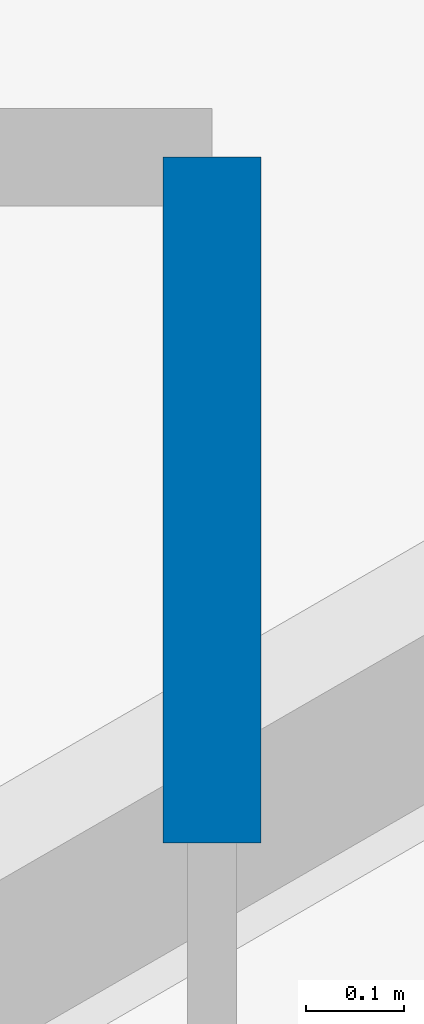
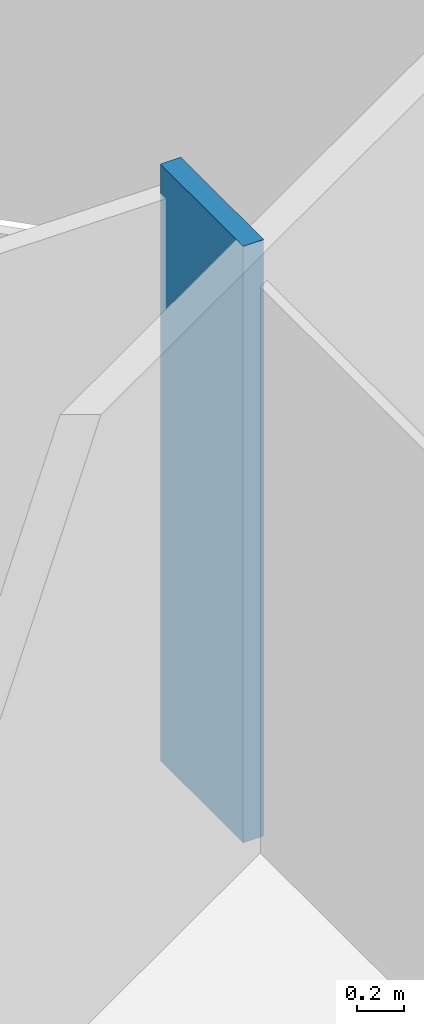
# One storey, part 13 of 20: 1 wall.
"""IFC4 building model written with IfcOpenShell, lengths in metres."""

import ifcopenshell
import ifcopenshell.guid

model = None  # the IFC model being written
_history = None  # IfcOwnerHistory: only IFC2X3 demands one
_inside = {}  # id of a spatial element -> (the spatial element, [elements in it])
_under = {}  # id of a project, library or spatial element -> (it, [spatial elements below it])
_declared = {}  # id of a project -> (the project, [libraries it declares])
_typed = {}  # id of a type object -> (the type object, [elements of that type])
_made_of = {}  # id of a material, layer set ... -> (it, [elements and type objects made of it])


def new_model(schema):
    """Start an empty IFC model of exactly this schema.

    Asked for "IFC4X3", IfcOpenShell would pick the latest addendum, in which some entities
    have other attributes; the version numbers below select the first issue.
    IFC2X3 requires an IfcOwnerHistory on every rooted entity: one is made here for all.
    """
    global model, _history
    if schema == "IFC4X3":
        model = ifcopenshell.file(schema_version=(4, 3, 0, 0))
    else:
        model = ifcopenshell.file(schema=schema)
    _inside.clear()
    _under.clear()
    _declared.clear()
    _typed.clear()
    _made_of.clear()
    _history = None
    if model.schema == "IFC2X3":
        org = make("IfcOrganization", Name="unknown")
        user = make(
            "IfcPersonAndOrganization",
            ThePerson=make("IfcPerson", FamilyName="unknown"),
            TheOrganization=org,
        )
        app = make(
            "IfcApplication",
            ApplicationDeveloper=org,
            Version="unknown",
            ApplicationFullName="unknown",
            ApplicationIdentifier="unknown",
        )
        _history = make(
            "IfcOwnerHistory",
            OwningUser=user,
            OwningApplication=app,
            ChangeAction="ADDED",
            CreationDate=0,
        )
    return model


def make(cls, **values):
    """One entity of the class cls with the attributes given. An attribute that is None is left unset."""
    return model.create_entity(
        cls, **{name: value for name, value in values.items() if value is not None}
    )


def rooted(cls, **values):
    """An entity with a GlobalId (a new one), such as an element, a storey or a relation."""
    return make(cls, GlobalId=ifcopenshell.guid.new(), OwnerHistory=_history, **values)


def si_unit(unit_type, name, prefix=None):
    """IfcSIUnit, for example si_unit("LENGTHUNIT", "METRE", prefix="MILLI")."""
    return make("IfcSIUnit", UnitType=unit_type, Prefix=prefix, Name=name)


def assignment(units):
    """IfcUnitAssignment: the units of a project."""
    return None if units is None else make("IfcUnitAssignment", Units=units)


def point(xyz):
    """IfcCartesianPoint."""
    return None if xyz is None else make("IfcCartesianPoint", Coordinates=xyz)


def direction(xyz):
    """IfcDirection."""
    return None if xyz is None else make("IfcDirection", DirectionRatios=xyz)


def frame(location, z_axis=None, x_axis=None):
    """IfcAxis2Placement3D, a coordinate frame: its origin and axes. An axis left out is left unset."""
    return make(
        "IfcAxis2Placement3D",
        Location=point(location),
        Axis=direction(z_axis),
        RefDirection=direction(x_axis),
    )


def frame_2d(location, x_axis=None):
    """IfcAxis2Placement2D, a coordinate frame in the plane: its origin and x axis."""
    return make(
        "IfcAxis2Placement2D", Location=point(location), RefDirection=direction(x_axis)
    )


def origin():
    """The frame at (0, 0, 0) with its axes left unset."""
    return frame((0.0, 0.0, 0.0))


def place(relative_to, where):
    """IfcLocalPlacement: puts the frame where relative to a parent placement (None: the world)."""
    return make(
        "IfcLocalPlacement", PlacementRelTo=relative_to, RelativePlacement=where
    )


def context(
    kind, dimensions, precision=None, world=None, true_north=None, identifier=None
):
    """IfcGeometricRepresentationContext, for example the 3D "Model" context."""
    return make(
        "IfcGeometricRepresentationContext",
        ContextIdentifier=identifier,
        ContextType=kind,
        CoordinateSpaceDimension=dimensions,
        Precision=precision,
        WorldCoordinateSystem=world,
        TrueNorth=true_north,
    )


def subcontext(parent, identifier, kind, view, scale=None):
    """IfcGeometricRepresentationSubContext, for example "Body" below "Model"."""
    return make(
        "IfcGeometricRepresentationSubContext",
        ContextIdentifier=identifier,
        ContextType=kind,
        ParentContext=parent,
        TargetScale=scale,
        TargetView=view,
    )


def project(units=None, contexts=None):
    """IfcProject with its units and contexts."""
    return rooted(
        "IfcProject",
        Name="project",
        RepresentationContexts=contexts,
        UnitsInContext=assignment(units),
    )


def spatial(cls, under=None, at=None, **own):
    """A site, building, storey or space (cls), placed at a placement, below another one or the project."""
    s = rooted(cls, ObjectPlacement=at, **own)
    if under is not None:
        _under.setdefault(under.id(), (under, []))[1].append(s)
    return s


def profile(cls, at=None, kind="AREA", **sizes):
    """A parametric profile (cls). Its sizes go by their IFC names, for example OverallWidth=200.0."""
    return make(cls, ProfileType=kind, Position=at, **sizes)


def rectangle(**sizes):
    """IfcRectangleProfileDef."""
    return profile("IfcRectangleProfileDef", **sizes)


def extrude(swept, where, along, depth):
    """IfcExtrudedAreaSolid: the profile swept, set in the frame where, extruded along a direction by depth."""
    return make(
        "IfcExtrudedAreaSolid",
        SweptArea=swept,
        Position=where,
        ExtrudedDirection=direction(along),
        Depth=depth,
    )


def shape(context_of_items, identifier, shape_type, items):
    """IfcShapeRepresentation: the items that make up one representation, for example the "Body"."""
    return make(
        "IfcShapeRepresentation",
        ContextOfItems=context_of_items,
        RepresentationIdentifier=identifier,
        RepresentationType=shape_type,
        Items=items,
    )


def material(Name=None, Category=None):
    """IfcMaterial."""
    return make("IfcMaterial", Name=Name, Category=Category)


def layer(
    of_material, thickness, ventilated=None, Name=None, Category=None, Priority=None
):
    """IfcMaterialLayer: one layer of a wall or slab, of a material (None: an air gap)."""
    return make(
        "IfcMaterialLayer",
        Material=of_material,
        LayerThickness=thickness,
        IsVentilated=ventilated,
        Name=Name,
        Category=Category,
        Priority=Priority,
    )


def layer_set(layers, Name=None):
    """IfcMaterialLayerSet."""
    return make("IfcMaterialLayerSet", MaterialLayers=layers, LayerSetName=Name)


def made_of(thing, what):
    """Note that an element or type object is made of a material, layer set ...; save() writes the relation."""
    if what is not None:
        _made_of.setdefault(what.id(), (what, []))[1].append(thing)
    return thing


def type_object(cls, material=None, **own):
    """A type object (cls), such as IfcWallType, which elements share."""
    return made_of(rooted(cls, **own), material)


def element(
    cls,
    number,
    at=None,
    inside=None,
    cuts=None,
    type_object=None,
    material=None,
    context=None,
    identifier="Body",
    shape_type=None,
    held_by="IfcProductDefinitionShape",
    body=None,
    shapes=None,
    **own,
):
    """One element of the class cls, such as IfcWall. Its Tag is "e" and its number.

    at: its placement. inside: the storey or other place that contains it. cuts: it is an
    opening in that element (IfcRelVoidsElement). A single representation is given by context,
    identifier, shape_type and body (its items); several are given by shapes. held_by: the class
    of the entity that holds the representations. save() writes the other relations.
    """
    e = rooted(cls, Tag="e%d" % number, ObjectPlacement=at, **own)
    if body is not None:
        shapes = [shape(context, identifier, shape_type, body)]
    if shapes is not None:
        e.Representation = make(held_by, Representations=shapes)
    if inside is not None:
        _inside.setdefault(inside.id(), (inside, []))[1].append(e)
    if cuts is not None:
        rooted(
            "IfcRelVoidsElement", RelatingBuildingElement=cuts, RelatedOpeningElement=e
        )
    if type_object is not None:
        _typed.setdefault(type_object.id(), (type_object, []))[1].append(e)
    return made_of(e, material)


def aggregate(whole, parts):
    """IfcRelAggregates: a whole, such as a stair, and the parts it consists of."""
    return rooted("IfcRelAggregates", RelatingObject=whole, RelatedObjects=parts)


def save(model, path):
    """Write the relations noted so far, then the file.

    IfcRelAggregates (storeys below a building ...), IfcRelContainedInSpatialStructure (elements
    in a storey), IfcRelDefinesByType, IfcRelAssociatesMaterial and IfcRelDeclares: one each for
    every whole, place, type object, material and project.
    """
    for whole, parts in _under.values():
        aggregate(whole, parts)
    for where, things in _inside.values():
        rooted(
            "IfcRelContainedInSpatialStructure",
            RelatedElements=things,
            RelatingStructure=where,
        )
    for kind, things in _typed.values():
        rooted("IfcRelDefinesByType", RelatedObjects=things, RelatingType=kind)
    for what, things in _made_of.values():
        rooted("IfcRelAssociatesMaterial", RelatedObjects=things, RelatingMaterial=what)
    for by, libraries in _declared.values():
        rooted("IfcRelDeclares", RelatingContext=by, RelatedDefinitions=libraries)
    model.write(path)


model = new_model("IFC4")

# Units and contexts
model_context = context("Model", 3, precision=1e-05, world=origin(), true_north=direction((0.0, 1.0)))
body_context = subcontext(model_context, "Body", "Model", "MODEL_VIEW")
ifc_project = project(units=[si_unit("LENGTHUNIT", "METRE"), si_unit("AREAUNIT", "SQUARE_METRE"), si_unit("VOLUMEUNIT", "CUBIC_METRE"), si_unit("PLANEANGLEUNIT", "RADIAN"), si_unit("MASSUNIT", "GRAM", prefix="KILO")], contexts=[model_context])

# Site, building, storey
site_placement = place(None, origin())
site = spatial("IfcSite", under=ifc_project, at=site_placement, CompositionType="ELEMENT")
building_placement = place(site_placement, origin())
building = spatial("IfcBuilding", under=site, at=building_placement, Name="Sahrelin Media Tower", CompositionType="ELEMENT")
storey_placement = place(building_placement, frame((0.0, 0.0, 225.60009765625)))
storey = spatial("IfcBuildingStorey", under=building, at=storey_placement, Name="L48", CompositionType="ELEMENT", Elevation=225.60009765625)

# Wall
ifc_material = material(Name="Gypsum board partition")
ifc_layer = layer(ifc_material, 0.10009765625)
ifc_layer_set = layer_set([ifc_layer], Name="Partition 100")
wall_type = type_object("IfcWallType", Name="Partition 100", PredefinedType="PARTITIONING", material=ifc_layer_set)
wall_placement = place(storey_placement, frame((22.47998046875, 12.97900390625, 0.0), z_axis=(0.0, 0.0, 1.0), x_axis=(0.0, 1.0, 0.0)))
element("IfcWall", 1, at=wall_placement, inside=storey, type_object=wall_type, Name="Wall", PredefinedType="PARTITIONING", context=body_context, shape_type="SweptSolid", body=[
    extrude(rectangle(XDim=0.700927734375, YDim=0.10009765625, at=frame_2d((0.3505859375, 0.0))), origin(), (0.0, 0.0, 1.0), 3.075927734375),
])

save(model, "model.ifc")
